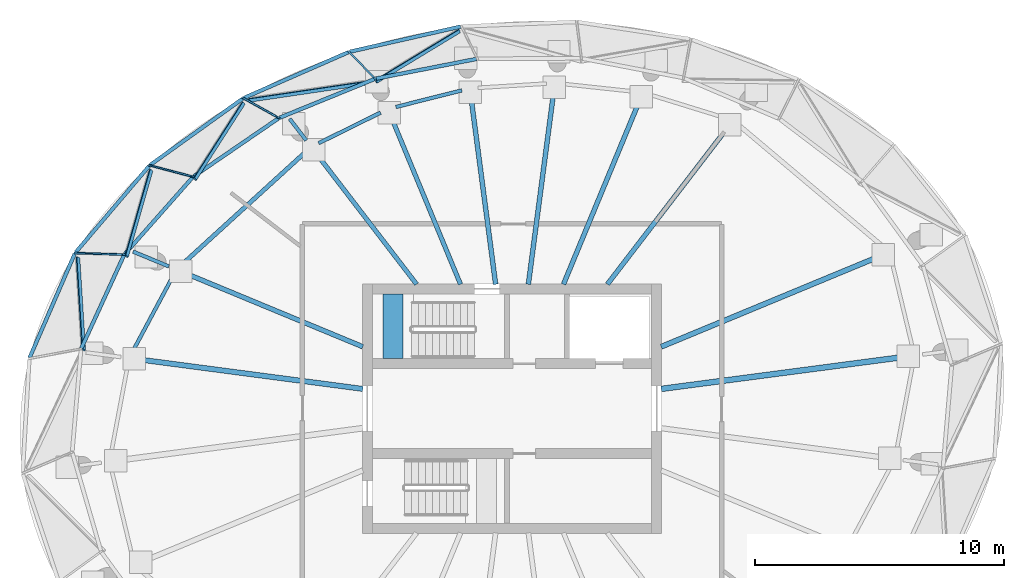
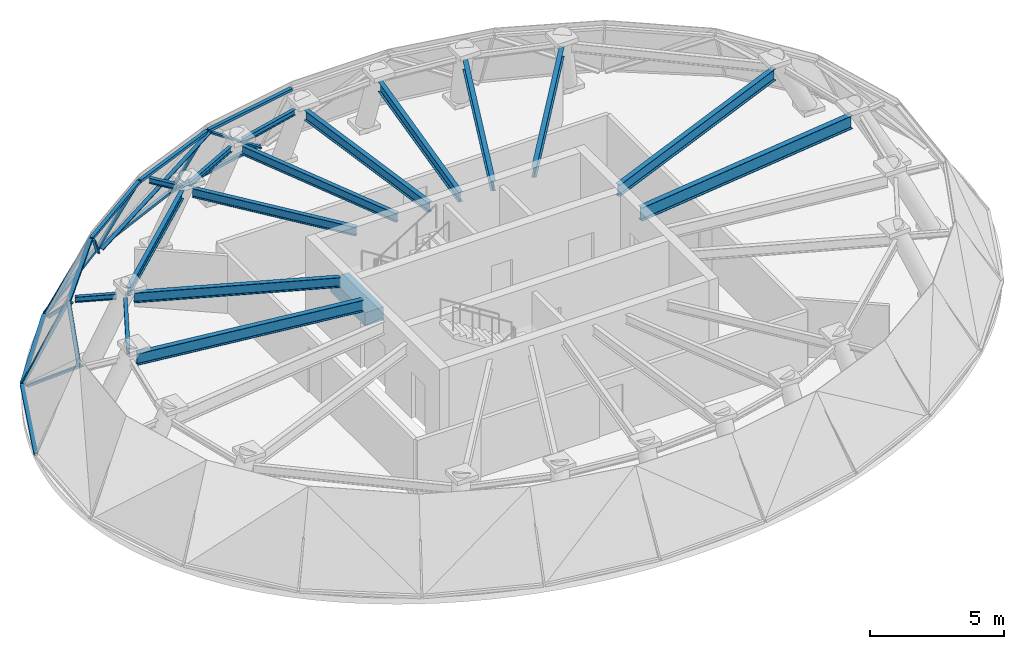
# One storey, part 3 of 9: 19 members, 17 beams, 10 elements without a shape of their own.
"""IFC4 building model written with IfcOpenShell, lengths in metres."""

from ifc_helpers import new_model, si_unit, direction, frame, origin, origin_2d, place, context, subcontext, project, spatial, rectangle, i_section, extrude, source, transform, mapped, material, layer, layer_set, material_profile, profile_set, type_object, element, aggregate, save


model = new_model("IFC4")

# Units and contexts
model_context = context("Model", 3, precision=1e-05, world=origin(), true_north=direction((0.0, 1.0)))
body_context = subcontext(model_context, "Body", "Model", "MODEL_VIEW")
ifc_project = project(units=[si_unit("LENGTHUNIT", "METRE"), si_unit("AREAUNIT", "SQUARE_METRE"), si_unit("VOLUMEUNIT", "CUBIC_METRE"), si_unit("PLANEANGLEUNIT", "RADIAN"), si_unit("MASSUNIT", "GRAM", prefix="KILO")], contexts=[model_context])

# Site, building, storey
site_placement = place(None, origin())
site = spatial("IfcSite", under=ifc_project, at=site_placement, CompositionType="ELEMENT")
building_placement = place(site_placement, origin())
building = spatial("IfcBuilding", under=site, at=building_placement, Name="Spindrift Exchange Tower", CompositionType="ELEMENT")
storey_placement = place(building_placement, frame((0.0, 0.0, 273.10009765625)))
storey = spatial("IfcBuildingStorey", under=building, at=storey_placement, Name="L67", CompositionType="ELEMENT", Elevation=273.10009765625)

# Beams
ifc_material_1 = material(Name="Steel Grade 300", Category="steel")
ifc_material_profile_1 = material_profile(ifc_material_1, i_section(OverallWidth=0.22802734375, OverallDepth=0.60693359375, WebThickness=0.01123046875, FlangeThickness=0.017333984375, FilletRadius=0.013916015625, at=origin_2d()), Name="610UB113")
ifc_profile_set_1 = profile_set([ifc_material_profile_1], Name="Steel Grade 300")
beam_type_1 = type_object("IfcBeamType", Name="Floor Beam 610UB113 Steel Grade 300", PredefinedType="BEAM", material=ifc_profile_set_1)
shared_shape_1 = source(origin(), body_context, "Body", "SweptSolid", [
    extrude(i_section(OverallWidth=0.22802734375, OverallDepth=0.60693359375, WebThickness=0.01123046875, FlangeThickness=0.017333984375, FilletRadius=0.013916015625, at=origin_2d()), origin(), (0.0, 0.0, 1.0), 9.9091796875),
])
beam_1_placement = place(storey_placement, frame((57.980224609375, 48.787353515625, 2.91650390625), z_axis=(0.991444313465, 0.130530353936, 0.0), x_axis=(-0.130530353936, 0.991444313465, 0.0)))
element("IfcBeam", 1, at=beam_1_placement, inside=storey, type_object=beam_type_1, Name="L67 radial beam R01A", PredefinedType="BEAM", context=body_context, shape_type="MappedRepresentation", body=[
    mapped(shared_shape_1, transform((0.0, 0.0, 0.0), scale=1.0)),
])
ifc_material_profile_2 = material_profile(ifc_material_1, i_section(OverallWidth=0.208984375, OverallDepth=0.532958984375, WebThickness=0.01025390625, FlangeThickness=0.015625, FilletRadius=0.013916015625, at=origin_2d()), Name="530UB92.4")
ifc_profile_set_2 = profile_set([ifc_material_profile_2], Name="Steel Grade 300")
beam_type_2 = type_object("IfcBeamType", Name="Floor Beam 530UB92.4 Steel Grade 300", PredefinedType="BEAM", material=ifc_profile_set_2)
shared_shape_2 = source(origin(), body_context, "Body", "SweptSolid", [
    extrude(i_section(OverallWidth=0.208984375, OverallDepth=0.532958984375, WebThickness=0.01025390625, FlangeThickness=0.015625, FilletRadius=0.013916015625, at=origin_2d()), origin(), (0.0, 0.0, 1.0), 9.5791015625),
])
beam_2_placement = place(storey_placement, frame((57.9814453125, 50.4775390625, 2.953369140625), z_axis=(0.923877977405, 0.382687186701, 0.0), x_axis=(-0.382687186701, 0.923877977405, 0.0)))
element("IfcBeam", 2, at=beam_2_placement, inside=storey, type_object=beam_type_2, Name="L67 radial beam R02A", PredefinedType="BEAM", context=body_context, shape_type="MappedRepresentation", body=[
    mapped(shared_shape_2, transform((0.0, 0.0, 0.0), scale=1.0)),
])
ifc_material_profile_3 = material_profile(ifc_material_1, i_section(OverallWidth=0.18994140625, OverallDepth=0.45703125, WebThickness=0.009033203125, FlangeThickness=0.014404296875, FilletRadius=0.013916015625, at=origin_2d()), Name="460UB74.6")
ifc_profile_set_3 = profile_set([ifc_material_profile_3], Name="Steel Grade 300")
beam_type_3 = type_object("IfcBeamType", Name="Floor Beam 460UB74.6 Steel Grade 300", PredefinedType="BEAM", material=ifc_profile_set_3)
shared_shape_3 = source(origin(), body_context, "Body", "SweptSolid", [
    extrude(i_section(OverallWidth=0.18994140625, OverallDepth=0.45703125, WebThickness=0.009033203125, FlangeThickness=0.014404296875, FilletRadius=0.013916015625, at=origin_2d()), origin(), (0.0, 0.0, 1.0), 7.946533203125),
])
beam_3_placement = place(storey_placement, frame((55.824462890625, 52.984130859375, 2.991455078125), z_axis=(0.608767523831, 0.793348663532, 0.0), x_axis=(-0.793348663532, 0.608767523831, 0.0)))
element("IfcBeam", 3, at=beam_3_placement, inside=storey, type_object=beam_type_3, Name="L67 radial beam R04A", PredefinedType="BEAM", context=body_context, shape_type="MappedRepresentation", body=[
    mapped(shared_shape_3, transform((0.0, 0.0, 0.0), scale=1.0)),
])
shared_shape_4 = source(origin(), body_context, "Body", "SweptSolid", [
    extrude(i_section(OverallWidth=0.18994140625, OverallDepth=0.45703125, WebThickness=0.009033203125, FlangeThickness=0.014404296875, FilletRadius=0.013916015625, at=origin_2d()), origin(), (0.0, 0.0, 1.0), 7.989990234375),
])
beam_4_placement = place(storey_placement, frame((54.0634765625, 52.9814453125, 2.991455078125), z_axis=(0.382679226245, 0.923881274732, 0.0), x_axis=(-0.923881274732, 0.382679226245, 0.0)))
element("IfcBeam", 4, at=beam_4_placement, inside=storey, type_object=beam_type_3, Name="L67 radial beam R05A", PredefinedType="BEAM", context=body_context, shape_type="MappedRepresentation", body=[
    mapped(shared_shape_4, transform((0.0, 0.0, 0.0), scale=1.0)),
])
shared_shape_5 = source(origin(), body_context, "Body", "SweptSolid", [
    extrude(i_section(OverallWidth=0.18994140625, OverallDepth=0.45703125, WebThickness=0.009033203125, FlangeThickness=0.014404296875, FilletRadius=0.013916015625, at=origin_2d()), origin(), (0.0, 0.0, 1.0), 7.80615234375),
])
beam_5_placement = place(storey_placement, frame((52.65576171875, 52.980224609375, 2.991455078125), z_axis=(0.130510334624, 0.991446948937, 0.0), x_axis=(-0.991446948937, 0.130510334624, 0.0)))
element("IfcBeam", 5, at=beam_5_placement, inside=storey, type_object=beam_type_3, Name="L67 radial beam R06A", PredefinedType="BEAM", context=body_context, shape_type="MappedRepresentation", body=[
    mapped(shared_shape_5, transform((0.0, 0.0, 0.0), scale=1.0)),
])
shared_shape_6 = source(origin(), body_context, "Body", "SweptSolid", [
    extrude(i_section(OverallWidth=0.18994140625, OverallDepth=0.45703125, WebThickness=0.009033203125, FlangeThickness=0.014404296875, FilletRadius=0.013916015625, at=origin_2d()), origin(), (0.0, 0.0, 1.0), 7.59326171875),
])
beam_6_placement = place(storey_placement, frame((51.34423828125, 52.980224609375, 2.991455078125), z_axis=(-0.130506078601, 0.991447509174, 0.0), x_axis=(-0.991447509174, -0.130506078601, 0.0)))
element("IfcBeam", 6, at=beam_6_placement, inside=storey, type_object=beam_type_3, Name="L67 radial beam R07A", PredefinedType="BEAM", context=body_context, shape_type="MappedRepresentation", body=[
    mapped(shared_shape_6, transform((0.0, 0.0, 0.0), scale=1.0)),
])
ifc_material_profile_4 = material_profile(ifc_material_1, i_section(OverallWidth=0.177978515625, OverallDepth=0.406005859375, WebThickness=0.0078125, FlangeThickness=0.0126953125, FilletRadius=0.013916015625, at=origin_2d()), Name="410UB59.7")
ifc_profile_set_4 = profile_set([ifc_material_profile_4], Name="Steel Grade 300")
beam_type_4 = type_object("IfcBeamType", Name="Floor Beam 410UB59.7 Steel Grade 300", PredefinedType="BEAM", material=ifc_profile_set_4)
shared_shape_7 = source(origin(), body_context, "Body", "SweptSolid", [
    extrude(i_section(OverallWidth=0.177978515625, OverallDepth=0.406005859375, WebThickness=0.0078125, FlangeThickness=0.0126953125, FilletRadius=0.013916015625, at=origin_2d()), origin(), (0.0, 0.0, 1.0), 7.2744140625),
])
beam_7_placement = place(storey_placement, frame((49.9365234375, 52.9814453125, 3.016845703125), z_axis=(-0.382669941322, 0.923885120569, 0.0), x_axis=(-0.923885120569, -0.382669941322, 0.0)))
element("IfcBeam", 7, at=beam_7_placement, inside=storey, type_object=beam_type_4, Name="L67 radial beam R08A", PredefinedType="BEAM", context=body_context, shape_type="MappedRepresentation", body=[
    mapped(shared_shape_7, transform((0.0, 0.0, 0.0), scale=1.0)),
])
shared_shape_8 = source(origin(), body_context, "Body", "SweptSolid", [
    extrude(i_section(OverallWidth=0.177978515625, OverallDepth=0.406005859375, WebThickness=0.0078125, FlangeThickness=0.0126953125, FilletRadius=0.013916015625, at=origin_2d()), origin(), (0.0, 0.0, 1.0), 6.6083984375),
])
beam_8_placement = place(storey_placement, frame((48.175537109375, 52.984130859375, 3.016845703125), z_axis=(-0.608753358796, 0.793359532718, 0.0), x_axis=(-0.793359532718, -0.608753358796, 0.0)))
element("IfcBeam", 8, at=beam_8_placement, inside=storey, type_object=beam_type_4, Name="L67 radial beam R09A", PredefinedType="BEAM", context=body_context, shape_type="MappedRepresentation", body=[
    mapped(shared_shape_8, transform((0.0, 0.0, 0.0), scale=1.0)),
])
ifc_material_profile_5 = material_profile(ifc_material_1, i_section(OverallWidth=0.14599609375, OverallDepth=0.251953125, WebThickness=0.006103515625, FlangeThickness=0.008544921875, FilletRadius=0.011962890625, at=origin_2d()), Name="250UB31.4")
ifc_profile_set_5 = profile_set([ifc_material_profile_5], Name="Steel Grade 300")
beam_type_5 = type_object("IfcBeamType", Name="Cantilever Beam 250UB31.4 Steel Grade 300", PredefinedType="BEAM", material=ifc_profile_set_5)
shared_shape_9 = source(origin(), body_context, "Body", "SweptSolid", [
    extrude(i_section(OverallWidth=0.14599609375, OverallDepth=0.251953125, WebThickness=0.006103515625, FlangeThickness=0.008544921875, FilletRadius=0.011962890625, at=origin_2d()), origin(), (0.0, 0.0, 1.0), 1.089111328125),
])
beam_9_placement = place(storey_placement, frame((43.750732421875, 58.75048828125, 3.093994140625), z_axis=(-0.608572707445, 0.793498115784, 0.0), x_axis=(-0.793498115784, -0.608572707445, 0.0)))
element("IfcBeam", 9, at=beam_9_placement, inside=storey, type_object=beam_type_5, Name="L67 cantilever beam R09T", PredefinedType="BEAM", context=body_context, shape_type="MappedRepresentation", body=[
    mapped(shared_shape_9, transform((0.0, 0.0, 0.0), scale=1.0)),
])
shared_shape_10 = source(origin(), body_context, "Body", "SweptSolid", [
    extrude(i_section(OverallWidth=0.18994140625, OverallDepth=0.45703125, WebThickness=0.009033203125, FlangeThickness=0.014404296875, FilletRadius=0.013916015625, at=origin_2d()), origin(), (0.0, 0.0, 1.0), 7.752685546875),
])
beam_10_placement = place(storey_placement, frame((46.0185546875, 50.4775390625, 2.991455078125), z_axis=(-0.92388173133, 0.382678123905, 0.0), x_axis=(-0.382678123905, -0.92388173133, 0.0)))
element("IfcBeam", 10, at=beam_10_placement, inside=storey, type_object=beam_type_3, Name="L67 radial beam R11A", PredefinedType="BEAM", context=body_context, shape_type="MappedRepresentation", body=[
    mapped(shared_shape_10, transform((0.0, 0.0, 0.0), scale=1.0)),
])
shared_shape_11 = source(origin(), body_context, "Body", "SweptSolid", [
    extrude(i_section(OverallWidth=0.14599609375, OverallDepth=0.251953125, WebThickness=0.006103515625, FlangeThickness=0.008544921875, FilletRadius=0.011962890625, at=origin_2d()), origin(), (0.0, 0.0, 1.0), 1.552978515625),
])
beam_11_placement = place(storey_placement, frame((38.246337890625, 53.697021484375, 3.093994140625), z_axis=(-0.923898045671, 0.382638734586, 0.0), x_axis=(-0.382638734586, -0.923898045671, 0.0)))
element("IfcBeam", 11, at=beam_11_placement, inside=storey, type_object=beam_type_5, Name="L67 cantilever beam R11T", PredefinedType="BEAM", context=body_context, shape_type="MappedRepresentation", body=[
    mapped(shared_shape_11, transform((0.0, 0.0, 0.0), scale=1.0)),
])
shared_shape_12 = source(origin(), body_context, "Body", "SweptSolid", [
    extrude(i_section(OverallWidth=0.208984375, OverallDepth=0.532958984375, WebThickness=0.01025390625, FlangeThickness=0.015625, FilletRadius=0.013916015625, at=origin_2d()), origin(), (0.0, 0.0, 1.0), 9.11962890625),
])
beam_12_placement = place(storey_placement, frame((46.019775390625, 48.787353515625, 2.953369140625), z_axis=(-0.991443539969, 0.130536228895, 0.0), x_axis=(-0.130536228895, -0.991443539969, 0.0)))
element("IfcBeam", 12, at=beam_12_placement, inside=storey, type_object=beam_type_2, Name="L67 radial beam R12A", PredefinedType="BEAM", context=body_context, shape_type="MappedRepresentation", body=[
    mapped(shared_shape_12, transform((0.0, 0.0, 0.0), scale=1.0)),
])
ifc_material_profile_6 = material_profile(ifc_material_1, i_section(OverallWidth=0.14599609375, OverallDepth=0.251953125, WebThickness=0.006103515625, FlangeThickness=0.008544921875, FilletRadius=0.011962890625, at=origin_2d()), Name="250UB31.4")
ifc_profile_set_6 = profile_set([ifc_material_profile_6], Name="Steel Grade 300")
beam_type_6 = type_object("IfcBeamType", Name="Edge Beam 250UB31.4 Steel Grade 300", PredefinedType="SPANDREL", material=ifc_profile_set_6)
shared_shape_13 = source(origin(), body_context, "Body", "SweptSolid", [
    extrude(i_section(OverallWidth=0.14599609375, OverallDepth=0.251953125, WebThickness=0.006103515625, FlangeThickness=0.008544921875, FilletRadius=0.011962890625, at=origin_2d()), origin(), (0.0, 0.0, 1.0), 2.7265625),
])
beam_13_placement = place(storey_placement, frame((49.990234375, 60.7548828125, 3.093994140625), z_axis=(-0.969618824522, -0.244620798651, 0.0), x_axis=(0.244620798651, -0.969618824522, 0.0)))
element("IfcBeam", 13, at=beam_13_placement, inside=storey, type_object=beam_type_6, Name="L67 edge beam E07", PredefinedType="SPANDREL", context=body_context, shape_type="MappedRepresentation", body=[
    mapped(shared_shape_13, transform((0.0, 0.0, 0.0), scale=1.0)),
])
shared_shape_14 = source(origin(), body_context, "Body", "SweptSolid", [
    extrude(i_section(OverallWidth=0.14599609375, OverallDepth=0.251953125, WebThickness=0.006103515625, FlangeThickness=0.008544921875, FilletRadius=0.011962890625, at=origin_2d()), origin(), (0.0, 0.0, 1.0), 2.769287109375),
])
beam_14_placement = place(storey_placement, frame((46.730712890625, 59.861083984375, 3.093994140625), z_axis=(-0.896655192747, -0.442729562283, 0.0), x_axis=(0.442729562283, -0.896655192747, 0.0)))
element("IfcBeam", 14, at=beam_14_placement, inside=storey, type_object=beam_type_6, Name="L67 edge beam E08", PredefinedType="SPANDREL", context=body_context, shape_type="MappedRepresentation", body=[
    mapped(shared_shape_14, transform((0.0, 0.0, 0.0), scale=1.0)),
])
ifc_material_profile_7 = material_profile(ifc_material_1, i_section(OverallWidth=0.172119140625, OverallDepth=0.35888671875, WebThickness=0.008056640625, FlangeThickness=0.012939453125, FilletRadius=0.013916015625, at=origin_2d()), Name="360UB56.7")
ifc_profile_set_7 = profile_set([ifc_material_profile_7], Name="Steel Grade 300")
beam_type_7 = type_object("IfcBeamType", Name="Edge Beam 360UB56.7 Steel Grade 300", PredefinedType="SPANDREL", material=ifc_profile_set_7)
shared_shape_15 = source(origin(), body_context, "Body", "SweptSolid", [
    extrude(i_section(OverallWidth=0.172119140625, OverallDepth=0.35888671875, WebThickness=0.008056640625, FlangeThickness=0.012939453125, FilletRadius=0.013916015625, at=origin_2d()), origin(), (0.0, 0.0, 1.0), 6.644287109375),
])
beam_15_placement = place(storey_placement, frame((43.707763671875, 58.2666015625, 3.040283203125), z_axis=(-0.739367859185, -0.673301692263, 0.0), x_axis=(0.673301692263, -0.739367859185, 0.0)))
element("IfcBeam", 15, at=beam_15_placement, inside=storey, type_object=beam_type_7, Name="L67 edge beam E09", PredefinedType="SPANDREL", context=body_context, shape_type="MappedRepresentation", body=[
    mapped(shared_shape_15, transform((0.0, 0.0, 0.0), scale=1.0)),
])
shared_shape_16 = source(origin(), body_context, "Body", "SweptSolid", [
    extrude(i_section(OverallWidth=0.14599609375, OverallDepth=0.251953125, WebThickness=0.006103515625, FlangeThickness=0.008544921875, FilletRadius=0.011962890625, at=origin_2d()), origin(), (0.0, 0.0, 1.0), 3.36669921875),
])
beam_16_placement = place(storey_placement, frame((38.3955078125, 53.27978515625, 3.093994140625), z_axis=(-0.471871221495, -0.881667482855, 0.0), x_axis=(0.881667482855, -0.471871221495, 0.0)))
element("IfcBeam", 16, at=beam_16_placement, inside=storey, type_object=beam_type_6, Name="L67 edge beam E11", PredefinedType="SPANDREL", context=body_context, shape_type="MappedRepresentation", body=[
    mapped(shared_shape_16, transform((0.0, 0.0, 0.0), scale=1.0)),
])

# Curtain wall, member
ifc_material_2 = material(Name="Fritted laminated glass with bronze frame", Category="glass")
ifc_layer = layer(ifc_material_2, 0.14990234375)
ifc_layer_set = layer_set([ifc_layer], Name="CROWN BRONZE RAKED GLAZED WALL")
curtain_wall_type = type_object("IfcCurtainWallType", Name="CROWN BRONZE RAKED GLAZED WALL", PredefinedType="NOTDEFINED", material=ifc_layer_set)
curtain_wall_1_placement = place(storey_placement, origin())
curtain_wall_1 = element("IfcCurtainWall", 17, at=curtain_wall_1_placement, inside=storey, type_object=curtain_wall_type, Name="L67 Crown Bronze Raked Glazed Wall facet 19", PredefinedType="NOTDEFINED")
ifc_material_3 = material(Name="Bronze anodised aluminium", Category="aluminium")
ifc_material_profile_8 = material_profile(ifc_material_3, rectangle(XDim=0.14990234375, YDim=0.1201171875, at=origin_2d()), Name="CROWN BRONZE RAKED GLAZED WALL TRANSOM 150X120")
ifc_profile_set_8 = profile_set([ifc_material_profile_8], Name="Bronze anodised aluminium")
member_type_1 = type_object("IfcMemberType", Name="CROWN BRONZE RAKED GLAZED WALL TRANSOM 150X120", PredefinedType="USERDEFINED", material=ifc_profile_set_8)
shared_shape_17 = source(origin(), body_context, "Body", "SweptSolid", [
    extrude(rectangle(XDim=0.14990234375, YDim=0.1201171875, at=origin_2d()), origin(), (0.0, 0.0, 1.0), 4.546630859375),
])
member_1_placement = place(storey_placement, frame((37.454833984375, 57.72216796875, 0.059814453125), z_axis=(-0.648125255307, -0.761533750685, 0.0), x_axis=(0.761533750685, -0.648125255307, 0.0)))
member_1 = element("IfcMember", 18, at=member_1_placement, type_object=member_type_1, Name="L67 transom CW-R.10a", ObjectType="TRANSOM", PredefinedType="USERDEFINED", context=body_context, shape_type="MappedRepresentation", body=[
    mapped(shared_shape_17, transform((0.0, 0.0, 0.0), scale=1.0)),
])

curtain_wall_2_placement = place(storey_placement, origin())
curtain_wall_2 = element("IfcCurtainWall", 19, at=curtain_wall_2_placement, inside=storey, type_object=curtain_wall_type, Name="L67 Crown Bronze Raked Glazed Wall facet 17", PredefinedType="NOTDEFINED")
shared_shape_18 = source(origin(), body_context, "Body", "SweptSolid", [
    extrude(rectangle(XDim=0.14990234375, YDim=0.1201171875, at=origin_2d()), origin(), (0.0, 0.0, 1.0), 4.55078125),
])
member_2_placement = place(storey_placement, frame((41.204833984375, 60.420166015625, 0.059814453125), z_axis=(-0.812822631171, -0.582511261914, 0.0), x_axis=(0.582511261914, -0.812822631171, 0.0)))
member_2 = element("IfcMember", 20, at=member_2_placement, type_object=member_type_1, Name="L67 transom CW-R.9a", ObjectType="TRANSOM", PredefinedType="USERDEFINED", context=body_context, shape_type="MappedRepresentation", body=[
    mapped(shared_shape_18, transform((0.0, 0.0, 0.0), scale=1.0)),
])

curtain_wall_3_placement = place(storey_placement, origin())
curtain_wall_3 = element("IfcCurtainWall", 21, at=curtain_wall_3_placement, inside=storey, type_object=curtain_wall_type, Name="L67 Crown Bronze Raked Glazed Wall facet 15", PredefinedType="NOTDEFINED")
shared_shape_19 = source(origin(), body_context, "Body", "SweptSolid", [
    extrude(rectangle(XDim=0.14990234375, YDim=0.1201171875, at=origin_2d()), origin(), (0.0, 0.0, 1.0), 4.552734375),
])
member_3_placement = place(storey_placement, frame((41.265380859375, 60.45458984375, 0.059814453125), z_axis=(0.915959076249, 0.401271691796, 0.0), x_axis=(-0.401271691796, 0.915959076249, 0.0)))
member_3 = element("IfcMember", 22, at=member_3_placement, type_object=member_type_1, Name="L67 transom CW-R.8a", ObjectType="TRANSOM", PredefinedType="USERDEFINED", context=body_context, shape_type="MappedRepresentation", body=[
    mapped(shared_shape_19, transform((0.0, 0.0, 0.0), scale=1.0)),
])

curtain_wall_4_placement = place(storey_placement, origin())
curtain_wall_4 = element("IfcCurtainWall", 23, at=curtain_wall_4_placement, inside=storey, type_object=curtain_wall_type, Name="L67 Crown Bronze Raked Glazed Wall facet 13", PredefinedType="NOTDEFINED")
shared_shape_20 = source(origin(), body_context, "Body", "SweptSolid", [
    extrude(rectangle(XDim=0.14990234375, YDim=0.1201171875, at=origin_2d()), origin(), (0.0, 0.0, 1.0), 4.553955078125),
])
member_4_placement = place(storey_placement, frame((49.942626953125, 63.311279296875, 0.059814453125), z_axis=(-0.975203376257, -0.221310584782, 0.0), x_axis=(0.221310584782, -0.975203376257, 0.0)))
member_4 = element("IfcMember", 24, at=member_4_placement, type_object=member_type_1, Name="L67 transom CW-R.7a", ObjectType="TRANSOM", PredefinedType="USERDEFINED", context=body_context, shape_type="MappedRepresentation", body=[
    mapped(shared_shape_20, transform((0.0, 0.0, 0.0), scale=1.0)),
])

curtain_wall_5_placement = place(storey_placement, origin())
curtain_wall_5 = element("IfcCurtainWall", 25, at=curtain_wall_5_placement, inside=storey, type_object=curtain_wall_type, Name="L67 Crown Bronze Raked Glazed Wall facet 21", PredefinedType="NOTDEFINED")
shared_shape_21 = source(origin(), body_context, "Body", "SweptSolid", [
    extrude(rectangle(XDim=0.14990234375, YDim=0.1201171875, at=origin_2d()), origin(), (0.0, 0.0, 1.0), 4.539794921875),
])
member_5_placement = place(storey_placement, frame((34.471435546875, 54.200927734375, 0.059814453125), z_axis=(-0.39826985827, -0.917268292264, 0.0), x_axis=(0.917268292264, -0.39826985827, 0.0)))
member_5 = element("IfcMember", 26, at=member_5_placement, type_object=member_type_1, Name="L67 transom CW-R.11a", ObjectType="TRANSOM", PredefinedType="USERDEFINED", context=body_context, shape_type="MappedRepresentation", body=[
    mapped(shared_shape_21, transform((0.0, 0.0, 0.0), scale=1.0)),
])

curtain_wall_6_placement = place(storey_placement, origin())
curtain_wall_6 = element("IfcCurtainWall", 27, at=curtain_wall_6_placement, inside=storey, type_object=curtain_wall_type, Name="L67 Crown Bronze Raked Glazed Wall facet 22", PredefinedType="NOTDEFINED")
shared_shape_22 = source(origin(), body_context, "Body", "SweptSolid", [
    extrude(rectangle(XDim=0.14990234375, YDim=0.1201171875, at=origin_2d()), origin(), (0.0, 0.0, 1.0), 4.0888671875),
])
member_6_placement = place(storey_placement, frame((36.443603515625, 54.138916015625, 3.159912109375), z_axis=(-0.416891135404, -0.90895642427, 0.0), x_axis=(0.90895642427, -0.416891135404, 0.0)))
member_6 = element("IfcMember", 28, at=member_6_placement, type_object=member_type_1, Name="L67 transom CW-R.11b", ObjectType="TRANSOM", PredefinedType="USERDEFINED", context=body_context, shape_type="MappedRepresentation", body=[
    mapped(shared_shape_22, transform((0.0, 0.0, 0.0), scale=1.0)),
])

curtain_wall_7_placement = place(storey_placement, origin())
curtain_wall_7 = element("IfcCurtainWall", 29, at=curtain_wall_7_placement, inside=storey, type_object=curtain_wall_type, Name="L67 Crown Bronze Raked Glazed Wall facet 18", PredefinedType="NOTDEFINED")
shared_shape_23 = source(origin(), body_context, "Body", "SweptSolid", [
    extrude(rectangle(XDim=0.14990234375, YDim=0.1201171875, at=origin_2d()), origin(), (0.0, 0.0, 1.0), 4.097900390625),
])
member_7_placement = place(storey_placement, frame((42.627197265625, 59.625, 3.159912109375), z_axis=(-0.825102616768, -0.564982895141, 0.0), x_axis=(0.564982895141, -0.825102616768, 0.0)))
member_7 = element("IfcMember", 30, at=member_7_placement, type_object=member_type_1, Name="L67 transom CW-R.9b", ObjectType="TRANSOM", PredefinedType="USERDEFINED", context=body_context, shape_type="MappedRepresentation", body=[
    mapped(shared_shape_23, transform((0.0, 0.0, 0.0), scale=1.0)),
])

curtain_wall_8_placement = place(storey_placement, origin())
curtain_wall_8 = element("IfcCurtainWall", 31, at=curtain_wall_8_placement, inside=storey, type_object=curtain_wall_type, Name="L67 Crown Bronze Raked Glazed Wall facet 16", PredefinedType="NOTDEFINED")
shared_shape_24 = source(origin(), body_context, "Body", "SweptSolid", [
    extrude(rectangle(XDim=0.14990234375, YDim=0.1201171875, at=origin_2d()), origin(), (0.0, 0.0, 1.0), 4.099609375),
])
member_8_placement = place(storey_placement, frame((42.6884765625, 59.657958984375, 3.159912109375), z_axis=(0.92589185911, 0.377788651543, 0.0), x_axis=(-0.377788651543, 0.92589185911, 0.0)))
member_8 = element("IfcMember", 32, at=member_8_placement, type_object=member_type_1, Name="L67 transom CW-R.8b", ObjectType="TRANSOM", PredefinedType="USERDEFINED", context=body_context, shape_type="MappedRepresentation", body=[
    mapped(shared_shape_24, transform((0.0, 0.0, 0.0), scale=1.0)),
])

curtain_wall_9_placement = place(storey_placement, origin())
curtain_wall_9 = element("IfcCurtainWall", 33, at=curtain_wall_9_placement, inside=storey, type_object=curtain_wall_type, Name="L67 Crown Bronze Raked Glazed Wall facet 14", PredefinedType="NOTDEFINED")
shared_shape_25 = source(origin(), body_context, "Body", "SweptSolid", [
    extrude(rectangle(XDim=0.14990234375, YDim=0.1201171875, at=origin_2d()), origin(), (0.0, 0.0, 1.0), 4.100341796875),
])
member_9_placement = place(storey_placement, frame((50.575439453125, 62.013671875, 3.159912109375), z_axis=(-0.981414356528, -0.191900653467, 0.0), x_axis=(0.191900653467, -0.981414356528, 0.0)))
member_9 = element("IfcMember", 34, at=member_9_placement, type_object=member_type_1, Name="L67 transom CW-R.7b", ObjectType="TRANSOM", PredefinedType="USERDEFINED", context=body_context, shape_type="MappedRepresentation", body=[
    mapped(shared_shape_25, transform((0.0, 0.0, 0.0), scale=1.0)),
])
aggregate(curtain_wall_9, [member_9])

# Member
ifc_material_profile_9 = material_profile(ifc_material_3, rectangle(XDim=0.070068359375, YDim=0.14990234375, at=origin_2d()), Name="CROWN BRONZE RAKED GLAZED WALL MULLION 70X150")
ifc_profile_set_9 = profile_set([ifc_material_profile_9], Name="Bronze anodised aluminium")
member_type_2 = type_object("IfcMemberType", Name="CROWN BRONZE RAKED GLAZED WALL MULLION 70X150", PredefinedType="MULLION", material=ifc_profile_set_9)
shared_shape_26 = source(origin(), body_context, "Body", "SweptSolid", [
    extrude(rectangle(XDim=0.070068359375, YDim=0.14990234375, at=origin_2d()), origin(), (0.0, 0.0, 1.0), 4.98291015625),
])
member_10_placement = place(storey_placement, frame((49.889404296875, 63.135009765625, 0.05859375), z_axis=(-0.669040987966, -0.405834236787, 0.622641733803), x_axis=(0.714101825065, -0.118791166839, 0.689889297004)))
member_10 = element("IfcMember", 35, at=member_10_placement, type_object=member_type_2, Name="L67 glazing bar CW-R.7", PredefinedType="MULLION", context=body_context, shape_type="MappedRepresentation", body=[
    mapped(shared_shape_26, transform((0.0, 0.0, 0.0), scale=1.0)),
])

aggregate(curtain_wall_4, [member_4, member_10])

shared_shape_27 = source(origin(), body_context, "Body", "SweptSolid", [
    extrude(rectangle(XDim=0.070068359375, YDim=0.14990234375, at=origin_2d()), origin(), (0.0, 0.0, 1.0), 3.4833984375),
])
member_11_placement = place(storey_placement, frame((45.477783203125, 62.284912109375, 0.031494140625), z_axis=(0.295337527857, -0.302626351516, 0.906197018318), x_axis=(0.715672825908, 0.698435685126, 0.0)))
member_11 = element("IfcMember", 36, at=member_11_placement, type_object=member_type_2, Name="L67 mullion CW-R.8", PredefinedType="MULLION", context=body_context, shape_type="MappedRepresentation", body=[
    mapped(shared_shape_27, transform((0.0, 0.0, 0.0), scale=1.0)),
])

aggregate(curtain_wall_3, [member_3, member_11])

shared_shape_28 = source(origin(), body_context, "Body", "SweptSolid", [
    extrude(rectangle(XDim=0.070068359375, YDim=0.14990234375, at=origin_2d()), origin(), (0.0, 0.0, 1.0), 5.9873046875),
])
member_12_placement = place(storey_placement, frame((41.45947265625, 60.35791015625, 0.064208984375), z_axis=(0.847208819783, 0.124979305609, 0.51635006425), x_axis=(0.399507397795, 0.490785378643, -0.774289061796)))
member_12 = element("IfcMember", 37, at=member_12_placement, type_object=member_type_2, Name="L67 glazing bar CW-R.8", PredefinedType="MULLION", context=body_context, shape_type="MappedRepresentation", body=[
    mapped(shared_shape_28, transform((0.0, 0.0, 0.0), scale=1.0)),
])

aggregate(curtain_wall_8, [member_8, member_12])

shared_shape_29 = source(origin(), body_context, "Body", "SweptSolid", [
    extrude(rectangle(XDim=0.070068359375, YDim=0.14990234375, at=origin_2d()), origin(), (0.0, 0.0, 1.0), 3.533203125),
])
member_13_placement = place(storey_placement, frame((41.248291015625, 60.43212890625, 0.03369140625), z_axis=(0.394199658736, -0.220489239444, 0.892183346819), x_axis=(0.488160762017, 0.872753728395, 0.0)))
member_13 = element("IfcMember", 38, at=member_13_placement, type_object=member_type_2, Name="L67 mullion CW-R.9", PredefinedType="MULLION", context=body_context, shape_type="MappedRepresentation", body=[
    mapped(shared_shape_29, transform((0.0, 0.0, 0.0), scale=1.0)),
])

aggregate(curtain_wall_7, [member_7, member_13])

shared_shape_30 = source(origin(), body_context, "Body", "SweptSolid", [
    extrude(rectangle(XDim=0.070068359375, YDim=0.14990234375, at=origin_2d()), origin(), (0.0, 0.0, 1.0), 4.76123046875),
])
member_14_placement = place(storey_placement, frame((41.2353515625, 60.24169921875, 0.056640625), z_axis=(-0.408523295784, -0.638295216006, 0.652447648494), x_axis=(0.7356177977, 0.192927687148, 0.649342254315)))
member_14 = element("IfcMember", 39, at=member_14_placement, type_object=member_type_2, Name="L67 glazing bar CW-R.9", PredefinedType="MULLION", context=body_context, shape_type="MappedRepresentation", body=[
    mapped(shared_shape_30, transform((0.0, 0.0, 0.0), scale=1.0)),
])

aggregate(curtain_wall_2, [member_2, member_14])

# Curtain wall, members
curtain_wall_10_placement = place(storey_placement, origin())
curtain_wall_10 = element("IfcCurtainWall", 40, at=curtain_wall_10_placement, inside=storey, type_object=curtain_wall_type, Name="L67 Crown Bronze Raked Glazed Wall facet 20", PredefinedType="NOTDEFINED")
shared_shape_31 = source(origin(), body_context, "Body", "SweptSolid", [
    extrude(rectangle(XDim=0.14990234375, YDim=0.1201171875, at=origin_2d()), origin(), (0.0, 0.0, 1.0), 4.094482421875),
])
member_15_placement = place(storey_placement, frame((39.194091796875, 57.263916015625, 3.159912109375), z_axis=(-0.662522417802, -0.74904208554, 0.0), x_axis=(0.74904208554, -0.662522417802, 0.0)))
member_15 = element("IfcMember", 41, at=member_15_placement, type_object=member_type_1, Name="L67 transom CW-R.10b", ObjectType="TRANSOM", PredefinedType="USERDEFINED", context=body_context, shape_type="MappedRepresentation", body=[
    mapped(shared_shape_31, transform((0.0, 0.0, 0.0), scale=1.0)),
])
shared_shape_32 = source(origin(), body_context, "Body", "SweptSolid", [
    extrude(rectangle(XDim=0.070068359375, YDim=0.14990234375, at=origin_2d()), origin(), (0.0, 0.0, 1.0), 3.604736328125),
])
member_16_placement = place(storey_placement, frame((37.497314453125, 57.74365234375, 0.03662109375), z_axis=(0.471667531282, -0.12435117568, 0.872964217503), x_axis=(0.254930690305, 0.966959328587, 0.0)))
member_16 = element("IfcMember", 42, at=member_16_placement, type_object=member_type_2, Name="L67 mullion CW-R.10", PredefinedType="MULLION", context=body_context, shape_type="MappedRepresentation", body=[
    mapped(shared_shape_32, transform((0.0, 0.0, 0.0), scale=1.0)),
])
aggregate(curtain_wall_10, [member_15, member_16])

# Member
shared_shape_33 = source(origin(), body_context, "Body", "SweptSolid", [
    extrude(rectangle(XDim=0.070068359375, YDim=0.14990234375, at=origin_2d()), origin(), (0.0, 0.0, 1.0), 4.746826171875),
])
member_17_placement = place(storey_placement, frame((37.530517578125, 57.552001953125, 0.056640625), z_axis=(-0.207168022641, -0.727196790496, 0.654420536266), x_axis=(0.689686616962, 0.365862767273, 0.624881433479)))
member_17 = element("IfcMember", 43, at=member_17_placement, type_object=member_type_2, Name="L67 glazing bar CW-R.10", PredefinedType="MULLION", context=body_context, shape_type="MappedRepresentation", body=[
    mapped(shared_shape_33, transform((0.0, 0.0, 0.0), scale=1.0)),
])

aggregate(curtain_wall_1, [member_1, member_17])

shared_shape_34 = source(origin(), body_context, "Body", "SweptSolid", [
    extrude(rectangle(XDim=0.070068359375, YDim=0.14990234375, at=origin_2d()), origin(), (0.0, 0.0, 1.0), 3.684814453125),
])
member_18_placement = place(storey_placement, frame((34.509521484375, 54.232421875, 0.0390625), z_axis=(0.522354214469, -0.016497488509, 0.852569004539), x_axis=(0.031567212862, 0.99950163135, 0.0)))
member_18 = element("IfcMember", 44, at=member_18_placement, type_object=member_type_2, Name="L67 mullion CW-R.11", PredefinedType="MULLION", context=body_context, shape_type="MappedRepresentation", body=[
    mapped(shared_shape_34, transform((0.0, 0.0, 0.0), scale=1.0)),
])

aggregate(curtain_wall_6, [member_6, member_18])

shared_shape_35 = source(origin(), body_context, "Body", "SweptSolid", [
    extrude(rectangle(XDim=0.070068359375, YDim=0.14990234375, at=origin_2d()), origin(), (0.0, 0.0, 1.0), 4.83984375),
])
member_19_placement = place(storey_placement, frame((34.597412109375, 54.049560546875, 0.057373046875), z_axis=(0.047619713285, -0.765597869202, 0.641554569448), x_axis=(0.580900595555, 0.54372583669, 0.605736504265)))
member_19 = element("IfcMember", 45, at=member_19_placement, type_object=member_type_2, Name="L67 glazing bar CW-R.11", PredefinedType="MULLION", context=body_context, shape_type="MappedRepresentation", body=[
    mapped(shared_shape_35, transform((0.0, 0.0, 0.0), scale=1.0)),
])

aggregate(curtain_wall_5, [member_5, member_19])

# Beam
ifc_material_4 = material(Name="Concrete 40 MPa", Category="concrete")
ifc_material_profile_10 = material_profile(ifc_material_4, rectangle(XDim=0.800048828125, YDim=0.60009765625, at=origin_2d()), Name="RC 800x600")
ifc_profile_set_10 = profile_set([ifc_material_profile_10], Name="Concrete 40 MPa")
beam_type_8 = type_object("IfcBeamType", Name="RC Landing Beam 800x600 Concrete 40 MPa", PredefinedType="BEAM", material=ifc_profile_set_10)
shared_shape_36 = source(origin(), body_context, "Body", "SweptSolid", [
    extrude(rectangle(XDim=0.800048828125, YDim=0.60009765625, at=origin_2d()), origin(), (0.0, 0.0, 1.0), 2.59912109375),
])
beam_17_placement = place(storey_placement, frame((47.22998046875, 50.00048828125, 1.25), z_axis=(0.0, 1.0, 0.0), x_axis=(-1.0, 0.0, 0.0)))
element("IfcBeam", 46, at=beam_17_placement, inside=storey, type_object=beam_type_8, Name="ST3 landing beam L67", PredefinedType="BEAM", context=body_context, shape_type="MappedRepresentation", body=[
    mapped(shared_shape_36, transform((0.0, 0.0, 0.0), scale=1.0)),
])

save(model, "model.ifc")
